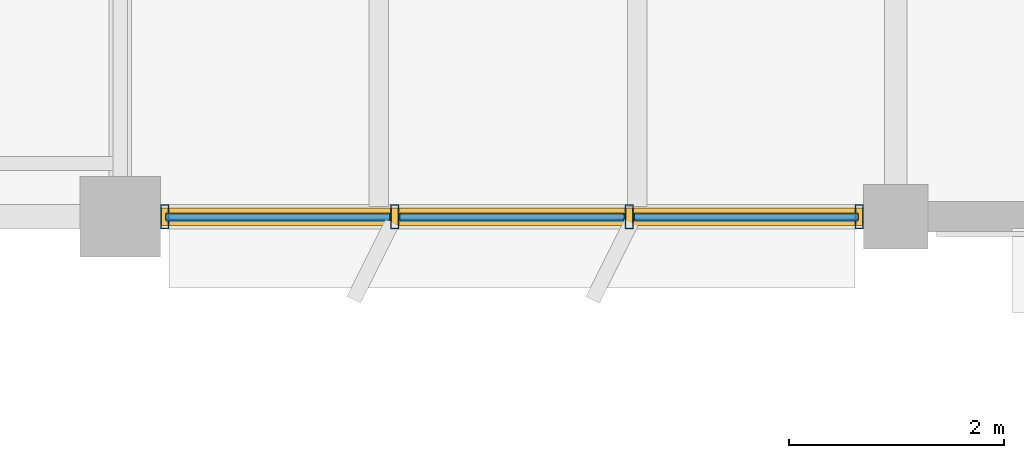
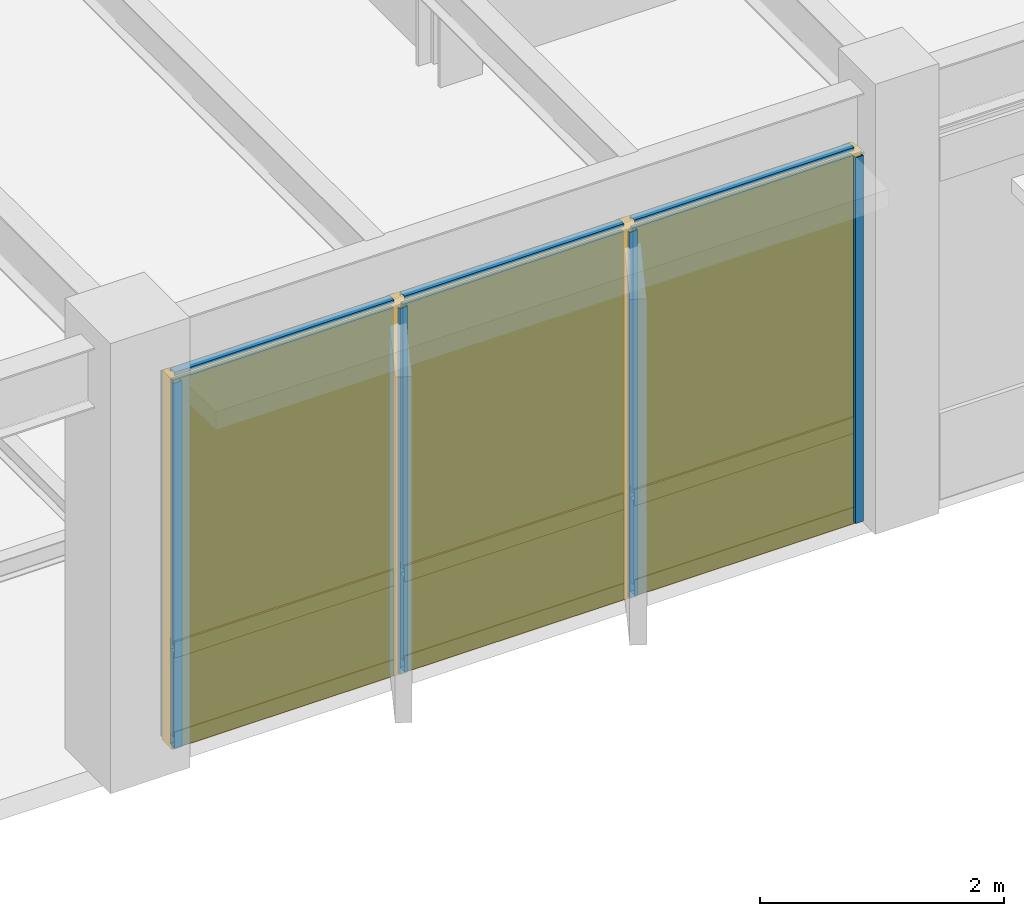
# One storey, part 61 of 92: 13 members, 6 plates, 1 curtain wall.
"""IFC4 building model written with IfcOpenShell, lengths in metres."""

from ifc_helpers import new_model, si_unit, direction, frame, origin, origin_2d, place, context, subcontext, project, spatial, rectangle, hollow_rectangle, extrude, material, layer, layer_set, material_profile, profile_set, type_object, element, aggregate, save


model = new_model("IFC4")

# Units and contexts
model_context = context("Model", 3, precision=1e-05, world=origin(), true_north=direction((0.0, 1.0)))
body_context = subcontext(model_context, "Body", "Model", "MODEL_VIEW")
ifc_project = project(units=[si_unit("LENGTHUNIT", "METRE"), si_unit("AREAUNIT", "SQUARE_METRE"), si_unit("VOLUMEUNIT", "CUBIC_METRE"), si_unit("PLANEANGLEUNIT", "RADIAN"), si_unit("MASSUNIT", "GRAM", prefix="KILO")], contexts=[model_context])

# Member
ifc_material_1 = material(Name="Anodized Aluminium 6063-T6", Category="aluminium")
ifc_material_profile_1 = material_profile(ifc_material_1, hollow_rectangle(XDim=0.074951171875, YDim=0.219970703125, WallThickness=0.0048828125, at=origin_2d()), Name="ALU 75x220x5")
ifc_profile_set_1 = profile_set([ifc_material_profile_1], Name="Anodized Aluminium 6063-T6")
member_type_1 = type_object("IfcMemberType", Name="CWM-75X180", PredefinedType="MULLION", material=ifc_profile_set_1)
site_placement = place(None, origin())
building_placement = place(site_placement, origin())
storey_placement = place(building_placement, frame((0.0, 0.0, 5.39990234375)))
member_1_placement = place(storey_placement, frame((100.4599609375, 79.199951171875, 0.02001953125), z_axis=(0.0, 0.0, 1.0), x_axis=(1.0, 0.0, 0.0)))
member_1 = element("IfcMember", 1, at=member_1_placement, type_object=member_type_1, Name="Curtain wall mullion CW-L02-13-11-S-00", PredefinedType="MULLION", context=body_context, shape_type="SweptSolid", body=[
    extrude(hollow_rectangle(XDim=0.074951171875, YDim=0.219970703125, WallThickness=0.0048828125, at=origin_2d()), origin(), (0.0, 0.0, 1.0), 3.657958984375),
])

member_2_placement = place(storey_placement, frame((98.324951171875, 79.199951171875, 0.02001953125), z_axis=(0.0, 0.0, 1.0), x_axis=(1.0, 0.0, 0.0)))
member_2 = element("IfcMember", 2, at=member_2_placement, type_object=member_type_1, Name="Curtain wall mullion CW-L02-13-11-S-01", PredefinedType="MULLION", context=body_context, shape_type="SweptSolid", body=[
    extrude(hollow_rectangle(XDim=0.074951171875, YDim=0.219970703125, WallThickness=0.0048828125, at=origin_2d()), origin(), (0.0, 0.0, 1.0), 3.657958984375),
])

member_3_placement = place(storey_placement, frame((96.14990234375, 79.199951171875, 0.02001953125), z_axis=(0.0, 0.0, 1.0), x_axis=(1.0, 0.0, 0.0)))
member_3 = element("IfcMember", 3, at=member_3_placement, type_object=member_type_1, Name="Curtain wall mullion CW-L02-13-11-S-02", PredefinedType="MULLION", context=body_context, shape_type="SweptSolid", body=[
    extrude(hollow_rectangle(XDim=0.074951171875, YDim=0.219970703125, WallThickness=0.0048828125, at=origin_2d()), origin(), (0.0, 0.0, 1.0), 3.657958984375),
])

member_4_placement = place(storey_placement, frame((94.014892578125, 79.199951171875, 0.02001953125), z_axis=(0.0, 0.0, 1.0), x_axis=(1.0, 0.0, 0.0)))
member_4 = element("IfcMember", 4, at=member_4_placement, type_object=member_type_1, Name="Curtain wall mullion CW-L02-13-11-S-03", PredefinedType="MULLION", context=body_context, shape_type="SweptSolid", body=[
    extrude(hollow_rectangle(XDim=0.074951171875, YDim=0.219970703125, WallThickness=0.0048828125, at=origin_2d()), origin(), (0.0, 0.0, 1.0), 3.657958984375),
])

ifc_material_profile_2 = material_profile(ifc_material_1, hollow_rectangle(XDim=0.074951171875, YDim=0.159912109375, WallThickness=0.00390625, at=origin_2d()), Name="ALU 75x160x4")
ifc_profile_set_2 = profile_set([ifc_material_profile_2], Name="Anodized Aluminium 6063-T6")
member_type_2 = type_object("IfcMemberType", Name="CWT-75X150", PredefinedType="USERDEFINED", material=ifc_profile_set_2)
member_5_placement = place(storey_placement, frame((100.449951171875, 79.199951171875, 0.050048828125), z_axis=(-1.0, 0.0, 0.0), x_axis=(0.0, -1.0, 0.0)))
member_5 = element("IfcMember", 5, at=member_5_placement, type_object=member_type_2, Name="Curtain wall transom CW-L02-13-11-S-1.01", ObjectType="TRANSOM", PredefinedType="USERDEFINED", context=body_context, shape_type="SweptSolid", body=[
    extrude(hollow_rectangle(XDim=0.074951171875, YDim=0.159912109375, WallThickness=0.00390625, at=origin_2d()), origin(), (0.0, 0.0, 1.0), 2.074951171875),
])

member_6_placement = place(storey_placement, frame((98.27490234375, 79.199951171875, 0.050048828125), z_axis=(-1.0, 0.0, 0.0), x_axis=(0.0, -1.0, 0.0)))
member_6 = element("IfcMember", 6, at=member_6_placement, type_object=member_type_2, Name="Curtain wall transom CW-L02-13-11-S-1.02", ObjectType="TRANSOM", PredefinedType="USERDEFINED", context=body_context, shape_type="SweptSolid", body=[
    extrude(hollow_rectangle(XDim=0.074951171875, YDim=0.159912109375, WallThickness=0.00390625, at=origin_2d()), origin(), (0.0, 0.0, 1.0), 2.074951171875),
])

member_7_placement = place(storey_placement, frame((96.10009765625, 79.199951171875, 0.050048828125), z_axis=(-1.0, 0.0, 0.0), x_axis=(0.0, -1.0, 0.0)))
member_7 = element("IfcMember", 7, at=member_7_placement, type_object=member_type_2, Name="Curtain wall transom CW-L02-13-11-S-1.03", ObjectType="TRANSOM", PredefinedType="USERDEFINED", context=body_context, shape_type="SweptSolid", body=[
    extrude(hollow_rectangle(XDim=0.074951171875, YDim=0.159912109375, WallThickness=0.00390625, at=origin_2d()), origin(), (0.0, 0.0, 1.0), 2.0751953125),
])

member_8_placement = place(storey_placement, frame((100.449951171875, 79.199951171875, 0.9501953125), z_axis=(-1.0, 0.0, 0.0), x_axis=(0.0, -1.0, 0.0)))
member_8 = element("IfcMember", 8, at=member_8_placement, type_object=member_type_2, Name="Curtain wall transom CW-L02-13-11-S-2.01", ObjectType="TRANSOM", PredefinedType="USERDEFINED", context=body_context, shape_type="SweptSolid", body=[
    extrude(hollow_rectangle(XDim=0.074951171875, YDim=0.159912109375, WallThickness=0.00390625, at=origin_2d()), origin(), (0.0, 0.0, 1.0), 2.074951171875),
])

member_9_placement = place(storey_placement, frame((98.27490234375, 79.199951171875, 0.9501953125), z_axis=(-1.0, 0.0, 0.0), x_axis=(0.0, -1.0, 0.0)))
member_9 = element("IfcMember", 9, at=member_9_placement, type_object=member_type_2, Name="Curtain wall transom CW-L02-13-11-S-2.02", ObjectType="TRANSOM", PredefinedType="USERDEFINED", context=body_context, shape_type="SweptSolid", body=[
    extrude(hollow_rectangle(XDim=0.074951171875, YDim=0.159912109375, WallThickness=0.00390625, at=origin_2d()), origin(), (0.0, 0.0, 1.0), 2.074951171875),
])

member_10_placement = place(storey_placement, frame((96.10009765625, 79.199951171875, 0.9501953125), z_axis=(-1.0, 0.0, 0.0), x_axis=(0.0, -1.0, 0.0)))
member_10 = element("IfcMember", 10, at=member_10_placement, type_object=member_type_2, Name="Curtain wall transom CW-L02-13-11-S-2.03", ObjectType="TRANSOM", PredefinedType="USERDEFINED", context=body_context, shape_type="SweptSolid", body=[
    extrude(hollow_rectangle(XDim=0.074951171875, YDim=0.159912109375, WallThickness=0.00390625, at=origin_2d()), origin(), (0.0, 0.0, 1.0), 2.0751953125),
])

member_11_placement = place(storey_placement, frame((100.449951171875, 79.199951171875, 3.648193359375), z_axis=(-1.0, 0.0, 0.0), x_axis=(0.0, -1.0, 0.0)))
member_11 = element("IfcMember", 11, at=member_11_placement, type_object=member_type_2, Name="Curtain wall transom CW-L02-13-11-S-3.01", ObjectType="TRANSOM", PredefinedType="USERDEFINED", context=body_context, shape_type="SweptSolid", body=[
    extrude(hollow_rectangle(XDim=0.074951171875, YDim=0.159912109375, WallThickness=0.00390625, at=origin_2d()), origin(), (0.0, 0.0, 1.0), 2.074951171875),
])

member_12_placement = place(storey_placement, frame((98.27490234375, 79.199951171875, 3.648193359375), z_axis=(-1.0, 0.0, 0.0), x_axis=(0.0, -1.0, 0.0)))
member_12 = element("IfcMember", 12, at=member_12_placement, type_object=member_type_2, Name="Curtain wall transom CW-L02-13-11-S-3.02", ObjectType="TRANSOM", PredefinedType="USERDEFINED", context=body_context, shape_type="SweptSolid", body=[
    extrude(hollow_rectangle(XDim=0.074951171875, YDim=0.159912109375, WallThickness=0.00390625, at=origin_2d()), origin(), (0.0, 0.0, 1.0), 2.074951171875),
])

member_13_placement = place(storey_placement, frame((96.10009765625, 79.199951171875, 3.648193359375), z_axis=(-1.0, 0.0, 0.0), x_axis=(0.0, -1.0, 0.0)))
member_13 = element("IfcMember", 13, at=member_13_placement, type_object=member_type_2, Name="Curtain wall transom CW-L02-13-11-S-3.03", ObjectType="TRANSOM", PredefinedType="USERDEFINED", context=body_context, shape_type="SweptSolid", body=[
    extrude(hollow_rectangle(XDim=0.074951171875, YDim=0.159912109375, WallThickness=0.00390625, at=origin_2d()), origin(), (0.0, 0.0, 1.0), 2.0751953125),
])

# Plate
ifc_material_2 = material(Name="Acoustic Laminated Low-E Glazing", Category="glass")
ifc_layer_1 = layer(ifc_material_2, 0.0439453125)
ifc_layer_set_1 = layer_set([ifc_layer_1], Name="Acoustic Laminated Low-E Glazing")
plate_type_1 = type_object("IfcPlateType", Name="CWP-IGU-44", PredefinedType="CURTAIN_PANEL", material=ifc_layer_set_1)
plate_1_placement = place(storey_placement, frame((99.41259765625, 79.199951171875, 0.990234375), z_axis=(0.0, 0.0, 1.0), x_axis=(-1.0, 0.0, 0.0)))
plate_1 = element("IfcPlate", 14, at=plate_1_placement, type_object=plate_type_1, Name="Curtain wall vision glazing CW-L02-13-11-S-01", PredefinedType="CURTAIN_PANEL", context=body_context, shape_type="SweptSolid", body=[
    extrude(rectangle(XDim=2.0849609375, YDim=0.0400390625, at=origin_2d()), origin(), (0.0, 0.0, 1.0), 2.64794921875),
])

plate_2_placement = place(storey_placement, frame((97.237548828125, 79.199951171875, 0.990234375), z_axis=(0.0, 0.0, 1.0), x_axis=(-1.0, 0.0, 0.0)))
plate_2 = element("IfcPlate", 15, at=plate_2_placement, type_object=plate_type_1, Name="Curtain wall vision glazing CW-L02-13-11-S-02", PredefinedType="CURTAIN_PANEL", context=body_context, shape_type="SweptSolid", body=[
    extrude(rectangle(XDim=2.0849609375, YDim=0.0400390625, at=origin_2d()), origin(), (0.0, 0.0, 1.0), 2.64794921875),
])

plate_3_placement = place(storey_placement, frame((95.0625, 79.199951171875, 0.990234375), z_axis=(0.0, 0.0, 1.0), x_axis=(-1.0, 0.0, 0.0)))
plate_3 = element("IfcPlate", 16, at=plate_3_placement, type_object=plate_type_1, Name="Curtain wall vision glazing CW-L02-13-11-S-03", PredefinedType="CURTAIN_PANEL", context=body_context, shape_type="SweptSolid", body=[
    extrude(rectangle(XDim=2.0849609375, YDim=0.0400390625, at=origin_2d()), origin(), (0.0, 0.0, 1.0), 2.64794921875),
])

ifc_material_3 = material(Name="Insulated Stone-Composite Spandrel", Category="masonry")
ifc_layer_2 = layer(ifc_material_3, 0.068115234375)
ifc_layer_set_2 = layer_set([ifc_layer_2], Name="Insulated Stone-Composite Spandrel")
plate_type_2 = type_object("IfcPlateType", Name="CWP-SPN-68", PredefinedType="CURTAIN_PANEL", material=ifc_layer_set_2)
plate_4_placement = place(storey_placement, frame((99.41259765625, 79.199951171875, 0.080078125), z_axis=(0.0, 0.0, 1.0), x_axis=(-1.0, 0.0, 0.0)))
plate_4 = element("IfcPlate", 17, at=plate_4_placement, type_object=plate_type_2, Name="Curtain wall spandrel panel CW-L02-13-11-S-01", PredefinedType="CURTAIN_PANEL", context=body_context, shape_type="SweptSolid", body=[
    extrude(rectangle(XDim=2.0849609375, YDim=0.06005859375, at=origin_2d()), origin(), (0.0, 0.0, 1.0), 0.840087890625),
])

plate_5_placement = place(storey_placement, frame((97.237548828125, 79.199951171875, 0.080078125), z_axis=(0.0, 0.0, 1.0), x_axis=(-1.0, 0.0, 0.0)))
plate_5 = element("IfcPlate", 18, at=plate_5_placement, type_object=plate_type_2, Name="Curtain wall spandrel panel CW-L02-13-11-S-02", PredefinedType="CURTAIN_PANEL", context=body_context, shape_type="SweptSolid", body=[
    extrude(rectangle(XDim=2.0849609375, YDim=0.06005859375, at=origin_2d()), origin(), (0.0, 0.0, 1.0), 0.840087890625),
])

plate_6_placement = place(storey_placement, frame((95.0625, 79.199951171875, 0.080078125), z_axis=(0.0, 0.0, 1.0), x_axis=(-1.0, 0.0, 0.0)))
plate_6 = element("IfcPlate", 19, at=plate_6_placement, type_object=plate_type_2, Name="Curtain wall spandrel panel CW-L02-13-11-S-03", PredefinedType="CURTAIN_PANEL", context=body_context, shape_type="SweptSolid", body=[
    extrude(rectangle(XDim=2.0849609375, YDim=0.06005859375, at=origin_2d()), origin(), (0.0, 0.0, 1.0), 0.840087890625),
])

# Site, building, storey
site = spatial("IfcSite", under=ifc_project, at=site_placement, CompositionType="ELEMENT")
building = spatial("IfcBuilding", under=site, at=building_placement, Name="Sillqori Civic Hall", CompositionType="ELEMENT")
storey = spatial("IfcBuildingStorey", under=building, at=storey_placement, Name="L02", CompositionType="ELEMENT", Elevation=5.39990234375)

# Curtain wall
ifc_material_4 = material(Name="Anodized Aluminium Curtain Wall System", Category="aluminium")
curtain_wall_type = type_object("IfcCurtainWallType", Name="CW-GL-430", PredefinedType="NOTDEFINED", material=ifc_material_4)
curtain_wall_placement = place(storey_placement, frame((97.237548828125, 79.199951171875, 0.0), z_axis=(0.0, 0.0, 1.0), x_axis=(-1.0, 0.0, 0.0)))
curtain_wall = element("IfcCurtainWall", 20, at=curtain_wall_placement, inside=storey, type_object=curtain_wall_type, Name="L02 unitised curtain wall CW-L02-13-11-S", PredefinedType="NOTDEFINED", context=body_context, shape_type="SweptSolid", body=[
    extrude(rectangle(XDim=6.52490234375, YDim=0.159912109375, at=origin_2d()), origin(), (0.0, 0.0, 1.0), 3.697998046875),
])

aggregate(curtain_wall, [member_1, member_2, member_3, member_4, member_5, member_6, member_7, member_8, member_9, member_10, member_11, member_12, member_13, plate_4, plate_1, plate_5, plate_2, plate_6, plate_3])

save(model, "model.ifc")
